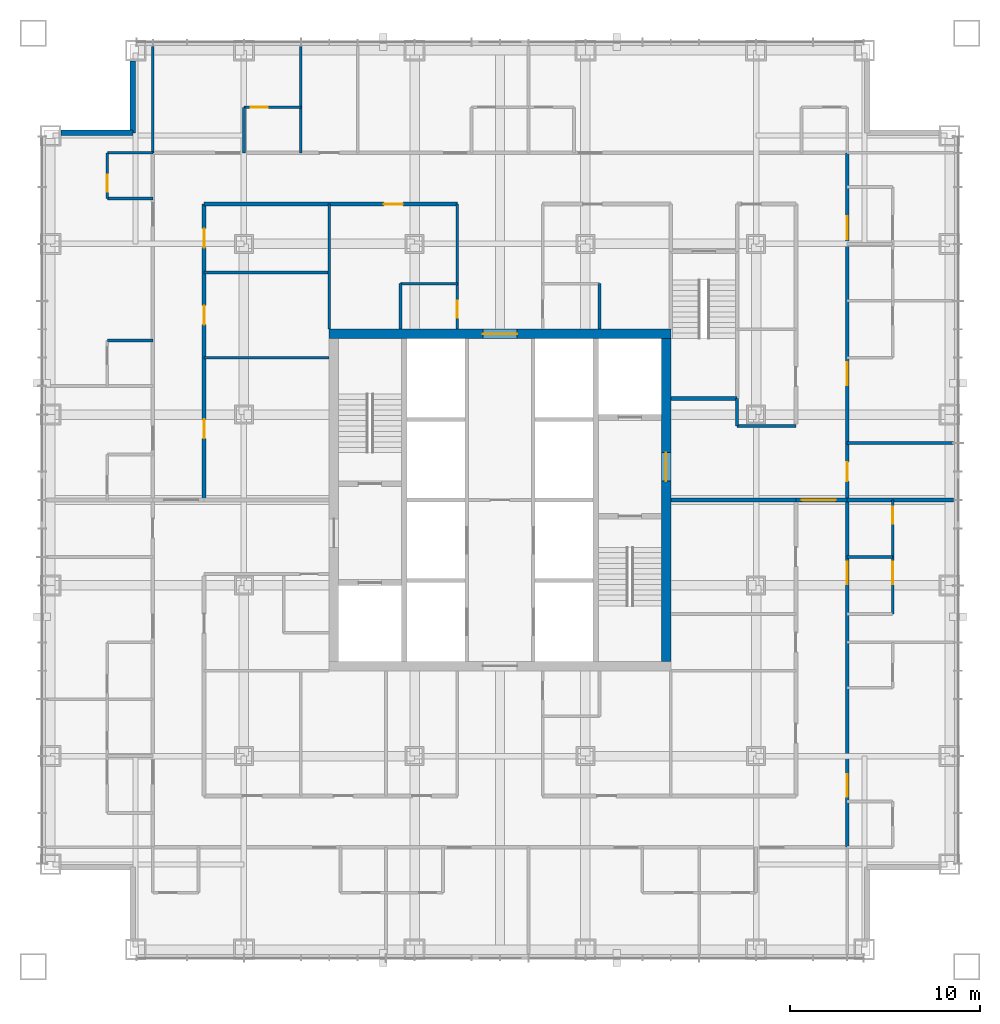
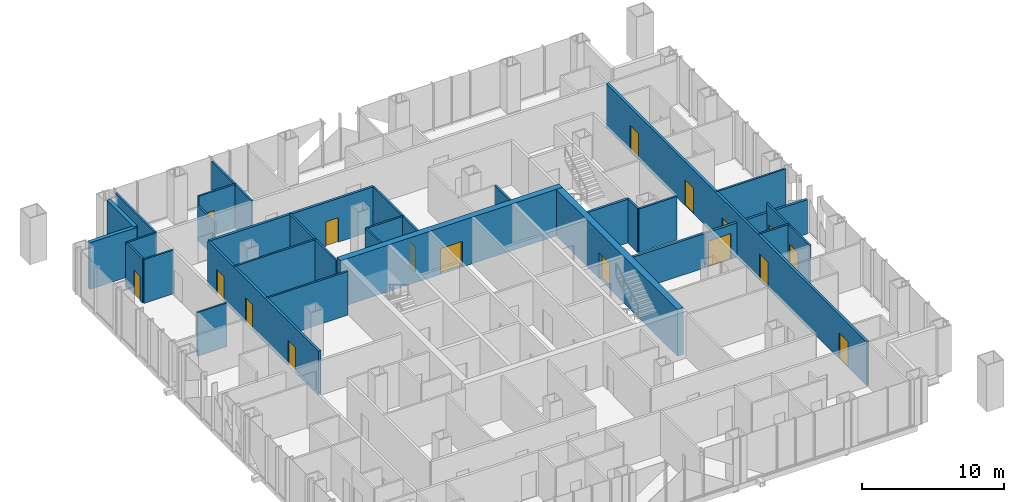
# One storey, part 11 of 16: 32 walls, 17 doors, 17 openings.
"""IFC4 building model written with IfcOpenShell, lengths in metres."""

from ifc_helpers import new_model, si_unit, direction, frame, frame_2d, origin, place, context, subcontext, project, spatial, rectangle, extrude, material, layer, layer_set, type_object, element, fill, save


model = new_model("IFC4")

# Units and contexts
model_context = context("Model", 3, precision=1e-05, world=origin(), true_north=direction((0.0, 1.0)))
body_context = subcontext(model_context, "Body", "Model", "MODEL_VIEW")
ifc_project = project(units=[si_unit("LENGTHUNIT", "METRE"), si_unit("AREAUNIT", "SQUARE_METRE"), si_unit("VOLUMEUNIT", "CUBIC_METRE"), si_unit("PLANEANGLEUNIT", "RADIAN"), si_unit("MASSUNIT", "GRAM", prefix="KILO")], contexts=[model_context])

# Site, building, storey
site_placement = place(None, origin())
site = spatial("IfcSite", under=ifc_project, at=site_placement, CompositionType="ELEMENT")
building_placement = place(site_placement, origin())
building = spatial("IfcBuilding", under=site, at=building_placement, Name="Malebo Sky Hospital", CompositionType="ELEMENT")
storey_placement = place(building_placement, frame((0.0, 0.0, 152.0)))
storey = spatial("IfcBuildingStorey", under=building, at=storey_placement, Name="L36", CompositionType="ELEMENT", Elevation=152.0)

# Wall, opening, door
ifc_material_1 = material(Name="Concrete C80/95", Category="concrete")
ifc_layer_1 = layer(ifc_material_1, 0.5)
ifc_layer_set_1 = layer_set([ifc_layer_1], Name="CORE WALL 500")
wall_type_1 = type_object("IfcWallType", Name="CORE WALL 500", PredefinedType="SHEAR", material=ifc_layer_set_1)
wall_1_placement = place(storey_placement, frame((51.0, 70.75, 0.0), z_axis=(0.0, 0.0, 1.0), x_axis=(1.0, 0.0, 0.0)))
wall_1 = element("IfcWall", 1, at=wall_1_placement, inside=storey, type_object=wall_type_1, Name="Core wall N L36", PredefinedType="SHEAR", context=body_context, shape_type="SweptSolid", body=[
    extrude(rectangle(XDim=18.0, YDim=0.5, at=frame_2d((9.0, 0.0))), origin(), (0.0, 0.0, 1.0), 4.0),
])
opening_1_placement = place(wall_1_placement, frame((8.10009765625, 0.0, 0.0)))
opening_1 = element("IfcOpeningElement", 2, at=opening_1_placement, cuts=wall_1, Name="Opening D06", PredefinedType="OPENING", context=body_context, shape_type="SweptSolid", body=[
    extrude(rectangle(XDim=1.800048828125, YDim=2.199951171875, at=frame_2d((0.89990234375, 1.10009765625))), frame((0.0, 0.260009765625, 0.0), z_axis=(0.0, -1.0, 0.0), x_axis=(1.0, 0.0, 0.0)), (0.0, 0.0, 1.0), 0.52001953125),
])
ifc_material_2 = material(Name="Hardwood-faced door leaf in steel frame", Category="steel")
door_type_1 = type_object("IfcDoorType", Name="LOBBY DOOR PAIR 1800", OperationType="DOUBLE_DOOR_SINGLE_SWING", PredefinedType="DOOR", material=ifc_material_2)
door_1_placement = place(opening_1_placement, origin())
door_1 = element("IfcDoor", 3, at=door_1_placement, inside=storey, type_object=door_type_1, Name="linen store door north", OperationType="DOUBLE_DOOR_SINGLE_SWING", OverallHeight=2.199951171875, OverallWidth=1.800048828125, PredefinedType="DOOR", context=body_context, shape_type="SweptSolid", body=[
    extrude(rectangle(XDim=1.800048828125, YDim=2.199951171875, at=frame_2d((0.89990234375, 1.10009765625))), frame((0.0, 0.02490234375, 0.0), z_axis=(0.0, -1.0, 0.0), x_axis=(1.0, 0.0, 0.0)), (0.0, 0.0, 1.0), 0.050048828125),
])
fill(opening_1, door_1)

wall_2_placement = place(storey_placement, frame((68.75, 53.5, 0.0), z_axis=(0.0, 0.0, 1.0), x_axis=(0.0, 1.0, 0.0)))
wall_2 = element("IfcWall", 4, at=wall_2_placement, inside=storey, type_object=wall_type_1, Name="Core wall E L36", PredefinedType="SHEAR", context=body_context, shape_type="SweptSolid", body=[
    extrude(rectangle(XDim=17.0, YDim=0.5, at=frame_2d((8.5, 0.0))), origin(), (0.0, 0.0, 1.0), 4.0),
])
opening_2_placement = place(wall_2_placement, frame((9.5, 0.0, 0.0)))
opening_2 = element("IfcOpeningElement", 5, at=opening_2_placement, cuts=wall_2, Name="Opening D07", PredefinedType="OPENING", context=body_context, shape_type="SweptSolid", body=[
    extrude(rectangle(XDim=1.5, YDim=2.199951171875, at=frame_2d((0.75, 1.10009765625))), frame((0.0, 0.260009765625, 0.0), z_axis=(0.0, -1.0, 0.0), x_axis=(1.0, 0.0, 0.0)), (0.0, 0.0, 1.0), 0.52001953125),
])
door_type_2 = type_object("IfcDoorType", Name="FIRE-FIGHTING LOBBY DOOR PAIR 1500", OperationType="DOUBLE_DOOR_SINGLE_SWING", PredefinedType="DOOR", material=ifc_material_2)
door_2_placement = place(opening_2_placement, origin())
door_2 = element("IfcDoor", 6, at=door_2_placement, inside=storey, type_object=door_type_2, Name="Fire-fighting lobby door east", OperationType="DOUBLE_DOOR_SINGLE_SWING", OverallHeight=2.199951171875, OverallWidth=1.5, PredefinedType="DOOR", context=body_context, shape_type="SweptSolid", body=[
    extrude(rectangle(XDim=1.5, YDim=2.199951171875, at=frame_2d((0.75, 1.10009765625))), frame((0.0, 0.02490234375, 0.0), z_axis=(0.0, -1.0, 0.0), x_axis=(1.0, 0.0, 0.0)), (0.0, 0.0, 1.0), 0.050048828125),
])
fill(opening_2, door_2)

ifc_material_3 = material(Name="Gypsum board on steel studs", Category="steel")
ifc_layer_2 = layer(ifc_material_3, 0.199951171875)
ifc_layer_set_2 = layer_set([ifc_layer_2], Name="CORRIDOR WALL 200")
wall_type_2 = type_object("IfcWallType", Name="CORRIDOR WALL 200", PredefinedType="PARTITIONING", material=ifc_layer_set_2)
wall_3_placement = place(storey_placement, frame((44.39990234375, 77.60009765625, 0.0), z_axis=(0.0, 0.0, 1.0), x_axis=(1.0, 0.0, 0.0)))
wall_3 = element("IfcWall", 7, at=wall_3_placement, inside=storey, type_object=wall_type_2, Name="Corridor Wall 200 NCI1", PredefinedType="PARTITIONING", context=body_context, shape_type="SweptSolid", body=[
    extrude(rectangle(XDim=13.35009765625, YDim=0.199951171875, at=frame_2d((6.675048828125, 0.0))), origin(), (0.0, 0.0, 1.0), 3.75),
])
opening_3_placement = place(wall_3_placement, frame((9.47509765625, 0.0, 0.0)))
opening_3 = element("IfcOpeningElement", 8, at=opening_3_placement, cuts=wall_3, Name="Opening D03", PredefinedType="OPENING", context=body_context, shape_type="SweptSolid", body=[
    extrude(rectangle(XDim=1.0, YDim=2.10009765625, at=frame_2d((0.5, 1.050048828125))), frame((0.0, 0.10986328125, 0.0), z_axis=(0.0, -1.0, 0.0), x_axis=(1.0, 0.0, 0.0)), (0.0, 0.0, 1.0), 0.219970703125),
])
door_type_3 = type_object("IfcDoorType", Name="ROOM DOOR 1000", OperationType="SINGLE_SWING_LEFT", PredefinedType="DOOR", material=ifc_material_2)
door_3_placement = place(opening_3_placement, origin())
door_3 = element("IfcDoor", 9, at=door_3_placement, inside=storey, type_object=door_type_3, Name="Interview room door", OperationType="SINGLE_SWING_LEFT", OverallHeight=2.10009765625, OverallWidth=1.0, PredefinedType="DOOR", context=body_context, shape_type="SweptSolid", body=[
    extrude(rectangle(XDim=1.0, YDim=2.10009765625, at=frame_2d((0.5, 1.050048828125))), frame((0.0, 0.02490234375, 0.0), z_axis=(0.0, -1.0, 0.0), x_axis=(1.0, 0.0, 0.0)), (0.0, 0.0, 1.0), 0.050048828125),
])
fill(opening_3, door_3)

# Wall, openings, doors
wall_4_placement = place(storey_placement, frame((44.39990234375, 62.0, 0.0), z_axis=(0.0, 0.0, 1.0), x_axis=(0.0, 1.0, 0.0)))
wall_4 = element("IfcWall", 10, at=wall_4_placement, inside=storey, type_object=wall_type_2, Name="Corridor Wall 200 WCI2", PredefinedType="PARTITIONING", context=body_context, shape_type="SweptSolid", body=[
    extrude(rectangle(XDim=15.60009765625, YDim=0.199951171875, at=frame_2d((7.800048828125, 0.0))), origin(), (0.0, 0.0, 1.0), 3.75),
])
opening_4_placement = place(wall_4_placement, frame((3.25, 0.0, 0.0)))
opening_4 = element("IfcOpeningElement", 11, at=opening_4_placement, cuts=wall_4, Name="Opening D03", PredefinedType="OPENING", context=body_context, shape_type="SweptSolid", body=[
    extrude(rectangle(XDim=1.0, YDim=2.10009765625, at=frame_2d((0.5, 1.050048828125))), frame((0.0, 0.10986328125, 0.0), z_axis=(0.0, -1.0, 0.0), x_axis=(1.0, 0.0, 0.0)), (0.0, 0.0, 1.0), 0.219970703125),
])
opening_5_placement = place(wall_4_placement, frame((9.25, 0.0, 0.0)))
opening_5 = element("IfcOpeningElement", 12, at=opening_5_placement, cuts=wall_4, Name="Opening D03", PredefinedType="OPENING", context=body_context, shape_type="SweptSolid", body=[
    extrude(rectangle(XDim=1.0, YDim=2.10009765625, at=frame_2d((0.5, 1.050048828125))), frame((0.0, 0.10986328125, 0.0), z_axis=(0.0, -1.0, 0.0), x_axis=(1.0, 0.0, 0.0)), (0.0, 0.0, 1.0), 0.219970703125),
])
opening_6_placement = place(wall_4_placement, frame((13.300048828125, 0.0, 0.0)))
opening_6 = element("IfcOpeningElement", 13, at=opening_6_placement, cuts=wall_4, Name="Opening D03", PredefinedType="OPENING", context=body_context, shape_type="SweptSolid", body=[
    extrude(rectangle(XDim=1.0, YDim=2.10009765625, at=frame_2d((0.5, 1.050048828125))), frame((0.0, 0.10986328125, 0.0), z_axis=(0.0, -1.0, 0.0), x_axis=(1.0, 0.0, 0.0)), (0.0, 0.0, 1.0), 0.219970703125),
])
door_4_placement = place(opening_4_placement, origin())
door_4 = element("IfcDoor", 14, at=door_4_placement, inside=storey, type_object=door_type_3, Name="Staff rest room door", OperationType="SINGLE_SWING_LEFT", OverallHeight=2.10009765625, OverallWidth=1.0, PredefinedType="DOOR", context=body_context, shape_type="SweptSolid", body=[
    extrude(rectangle(XDim=1.0, YDim=2.10009765625, at=frame_2d((0.5, 1.050048828125))), frame((0.0, 0.02490234375, 0.0), z_axis=(0.0, -1.0, 0.0), x_axis=(1.0, 0.0, 0.0)), (0.0, 0.0, 1.0), 0.050048828125),
])
fill(opening_4, door_4)
door_5_placement = place(opening_5_placement, origin())
door_5 = element("IfcDoor", 15, at=door_5_placement, inside=storey, type_object=door_type_3, Name="Counselling room door", OperationType="SINGLE_SWING_LEFT", OverallHeight=2.10009765625, OverallWidth=1.0, PredefinedType="DOOR", context=body_context, shape_type="SweptSolid", body=[
    extrude(rectangle(XDim=1.0, YDim=2.10009765625, at=frame_2d((0.5, 1.050048828125))), frame((0.0, 0.02490234375, 0.0), z_axis=(0.0, -1.0, 0.0), x_axis=(1.0, 0.0, 0.0)), (0.0, 0.0, 1.0), 0.050048828125),
])
fill(opening_5, door_5)
door_6_placement = place(opening_6_placement, origin())
door_6 = element("IfcDoor", 16, at=door_6_placement, inside=storey, type_object=door_type_3, Name="Medication room door", OperationType="SINGLE_SWING_RIGHT", OverallHeight=2.10009765625, OverallWidth=1.0, PredefinedType="DOOR", context=body_context, shape_type="SweptSolid", body=[
    extrude(rectangle(XDim=1.0, YDim=2.10009765625, at=frame_2d((0.5, 1.050048828125))), frame((0.0, 0.02490234375, 0.0), z_axis=(0.0, -1.0, 0.0), x_axis=(1.0, 0.0, 0.0)), (0.0, 0.0, 1.0), 0.050048828125),
])
fill(opening_6, door_6)

wall_5_placement = place(storey_placement, frame((78.300048828125, 80.300048828125, 0.0), z_axis=(0.0, 0.0, 1.0), x_axis=(0.0, -1.0, 0.0)))
wall_5 = element("IfcWall", 17, at=wall_5_placement, inside=storey, type_object=wall_type_2, Name="Corridor Wall 200 ECO", PredefinedType="PARTITIONING", context=body_context, shape_type="SweptSolid", body=[
    extrude(rectangle(XDim=36.60009765625, YDim=0.199951171875, at=frame_2d((18.300048828125, 0.0))), origin(), (0.0, 0.0, 1.0), 3.75),
])
opening_7_placement = place(wall_5_placement, frame((3.35009765625, 0.0, 0.0)))
opening_7 = element("IfcOpeningElement", 18, at=opening_7_placement, cuts=wall_5, Name="Opening D18", PredefinedType="OPENING", context=body_context, shape_type="SweptSolid", body=[
    extrude(rectangle(XDim=1.199951171875, YDim=2.199951171875, at=frame_2d((0.60009765625, 1.10009765625))), frame((0.0, 0.10986328125, 0.0), z_axis=(0.0, -1.0, 0.0), x_axis=(1.0, 0.0, 0.0)), (0.0, 0.0, 1.0), 0.219970703125),
])
opening_8_placement = place(wall_5_placement, frame((11.050048828125, 0.0, 0.0)))
opening_8 = element("IfcOpeningElement", 19, at=opening_8_placement, cuts=wall_5, Name="Opening D01", PredefinedType="OPENING", context=body_context, shape_type="SweptSolid", body=[
    extrude(rectangle(XDim=1.199951171875, YDim=2.199951171875, at=frame_2d((0.60009765625, 1.10009765625))), frame((0.0, 0.10986328125, 0.0), z_axis=(0.0, -1.0, 0.0), x_axis=(1.0, 0.0, 0.0)), (0.0, 0.0, 1.0), 0.219970703125),
])
opening_9_placement = place(wall_5_placement, frame((16.300048828125, 0.0, 0.0)))
opening_9 = element("IfcOpeningElement", 20, at=opening_9_placement, cuts=wall_5, Name="Opening D03", PredefinedType="OPENING", context=body_context, shape_type="SweptSolid", body=[
    extrude(rectangle(XDim=1.0, YDim=2.10009765625, at=frame_2d((0.5, 1.050048828125))), frame((0.0, 0.10986328125, 0.0), z_axis=(0.0, -1.0, 0.0), x_axis=(1.0, 0.0, 0.0)), (0.0, 0.0, 1.0), 0.219970703125),
])
opening_10_placement = place(wall_5_placement, frame((21.550048828125, 0.0, 0.0)))
opening_10 = element("IfcOpeningElement", 21, at=opening_10_placement, cuts=wall_5, Name="Opening D18", PredefinedType="OPENING", context=body_context, shape_type="SweptSolid", body=[
    extrude(rectangle(XDim=1.199951171875, YDim=2.199951171875, at=frame_2d((0.60009765625, 1.10009765625))), frame((0.0, 0.10986328125, 0.0), z_axis=(0.0, -1.0, 0.0), x_axis=(1.0, 0.0, 0.0)), (0.0, 0.0, 1.0), 0.219970703125),
])
opening_11_placement = place(wall_5_placement, frame((32.75, 0.0, 0.0)))
opening_11 = element("IfcOpeningElement", 22, at=opening_11_placement, cuts=wall_5, Name="Opening D01", PredefinedType="OPENING", context=body_context, shape_type="SweptSolid", body=[
    extrude(rectangle(XDim=1.199951171875, YDim=2.199951171875, at=frame_2d((0.60009765625, 1.10009765625))), frame((0.0, 0.10986328125, 0.0), z_axis=(0.0, -1.0, 0.0), x_axis=(1.0, 0.0, 0.0)), (0.0, 0.0, 1.0), 0.219970703125),
])
door_type_4 = type_object("IfcDoorType", Name="ANTEROOM DOOR 1200", OperationType="SINGLE_SWING_LEFT", PredefinedType="DOOR", material=ifc_material_2)
door_7_placement = place(opening_7_placement, origin())
door_7 = element("IfcDoor", 23, at=door_7_placement, inside=storey, type_object=door_type_4, Name="Anteroom door", OperationType="SINGLE_SWING_RIGHT", OverallHeight=2.199951171875, OverallWidth=1.199951171875, PredefinedType="DOOR", context=body_context, shape_type="SweptSolid", body=[
    extrude(rectangle(XDim=1.199951171875, YDim=2.199951171875, at=frame_2d((0.60009765625, 1.10009765625))), frame((0.0, 0.02490234375, 0.0), z_axis=(0.0, -1.0, 0.0), x_axis=(1.0, 0.0, 0.0)), (0.0, 0.0, 1.0), 0.050048828125),
])
fill(opening_7, door_7)
door_8_placement = place(opening_10_placement, origin())
door_8 = element("IfcDoor", 24, at=door_8_placement, inside=storey, type_object=door_type_4, Name="Anteroom door", OperationType="SINGLE_SWING_LEFT", OverallHeight=2.199951171875, OverallWidth=1.199951171875, PredefinedType="DOOR", context=body_context, shape_type="SweptSolid", body=[
    extrude(rectangle(XDim=1.199951171875, YDim=2.199951171875, at=frame_2d((0.60009765625, 1.10009765625))), frame((0.0, 0.02490234375, 0.0), z_axis=(0.0, -1.0, 0.0), x_axis=(1.0, 0.0, 0.0)), (0.0, 0.0, 1.0), 0.050048828125),
])
fill(opening_10, door_8)
door_type_5 = type_object("IfcDoorType", Name="BED DOOR 1200", OperationType="SINGLE_SWING_LEFT", PredefinedType="DOOR", material=ifc_material_2)
door_9_placement = place(opening_8_placement, origin())
door_9 = element("IfcDoor", 25, at=door_9_placement, inside=storey, type_object=door_type_5, Name="Single bed room door", OperationType="SINGLE_SWING_LEFT", OverallHeight=2.199951171875, OverallWidth=1.199951171875, PredefinedType="DOOR", context=body_context, shape_type="SweptSolid", body=[
    extrude(rectangle(XDim=1.199951171875, YDim=2.199951171875, at=frame_2d((0.60009765625, 1.10009765625))), frame((0.0, 0.02490234375, 0.0), z_axis=(0.0, -1.0, 0.0), x_axis=(1.0, 0.0, 0.0)), (0.0, 0.0, 1.0), 0.050048828125),
])
fill(opening_8, door_9)
door_10_placement = place(opening_11_placement, origin())
door_10 = element("IfcDoor", 26, at=door_10_placement, inside=storey, type_object=door_type_5, Name="Four-bed bay door", OperationType="SINGLE_SWING_RIGHT", OverallHeight=2.199951171875, OverallWidth=1.199951171875, PredefinedType="DOOR", context=body_context, shape_type="SweptSolid", body=[
    extrude(rectangle(XDim=1.199951171875, YDim=2.199951171875, at=frame_2d((0.60009765625, 1.10009765625))), frame((0.0, 0.02490234375, 0.0), z_axis=(0.0, -1.0, 0.0), x_axis=(1.0, 0.0, 0.0)), (0.0, 0.0, 1.0), 0.050048828125),
])
fill(opening_11, door_10)
door_11_placement = place(opening_9_placement, origin())
door_11 = element("IfcDoor", 27, at=door_11_placement, inside=storey, type_object=door_type_3, Name="Interview room door", OperationType="SINGLE_SWING_RIGHT", OverallHeight=2.10009765625, OverallWidth=1.0, PredefinedType="DOOR", context=body_context, shape_type="SweptSolid", body=[
    extrude(rectangle(XDim=1.0, YDim=2.10009765625, at=frame_2d((0.5, 1.050048828125))), frame((0.0, 0.02490234375, 0.0), z_axis=(0.0, -1.0, 0.0), x_axis=(1.0, 0.0, 0.0)), (0.0, 0.0, 1.0), 0.050048828125),
])
fill(opening_9, door_11)

# Walls
ifc_material_4 = material(Name="Anodised aluminium rainscreen on steel framing", Category="steel")
ifc_layer_3 = layer(ifc_material_4, 0.300048828125)
ifc_layer_set_3 = layer_set([ifc_layer_3], Name="NOTCH RAINSCREEN WALL 300")
wall_type_3 = type_object("IfcWallType", Name="NOTCH RAINSCREEN WALL 300", PredefinedType="ELEMENTEDWALL", material=ifc_layer_set_3)
for number, where, z_axis, x_axis, name in (
    (28, (36.85009765625, 81.35009765625, 0.0), (0.0, 0.0, 1.0), (1.0, 0.0, 0.0), "Notch rainscreen wall W1 L36"),
    (29, (40.64990234375, 81.35009765625, 0.0), (0.0, 0.0, 1.0), (0.0, 1.0, 0.0), "Notch rainscreen wall W2 L36"),
):
    element("IfcWall", number, at=place(storey_placement, frame(where, z_axis=z_axis, x_axis=x_axis)), inside=storey, type_object=wall_type_3, Name=name, PredefinedType="ELEMENTEDWALL", context=body_context, shape_type="SweptSolid", body=[
        extrude(rectangle(XDim=3.7998046875, YDim=0.300048828125, at=frame_2d((1.89990234375, 0.0))), origin(), (0.0, 0.0, 1.0), 4.0),
    ])
ifc_layer_4 = layer(ifc_material_3, 0.14990234375)
ifc_layer_set_4 = layer_set([ifc_layer_4], Name="PARTITION 150")
wall_type_4 = type_object("IfcWallType", Name="PARTITION 150", PredefinedType="PARTITIONING", material=ifc_layer_set_4)
for number, where, z_axis, x_axis, name in (
    (30, (49.5, 80.300048828125, 0.0), (0.0, 0.0, 1.0), (0.0, 1.0, 0.0), "Partition 150 NP-10.5"),
    (31, (41.699951171875, 80.300048828125, 0.0), (0.0, 0.0, 1.0), (0.0, 1.0, 0.0), "Partition 150 NP0"),
):
    element("IfcWall", number, at=place(storey_placement, frame(where, z_axis=z_axis, x_axis=x_axis)), inside=storey, type_object=wall_type_4, Name=name, PredefinedType="PARTITIONING", context=body_context, shape_type="SweptSolid", body=[
        extrude(rectangle(XDim=5.60986328125, YDim=0.14990234375, at=frame_2d((2.804931640625, 0.0))), origin(), (0.0, 0.0, 1.0), 3.75),
    ])

# Wall, opening, door
wall_6_placement = place(storey_placement, frame((46.5, 82.699951171875, 0.0), z_axis=(0.0, 0.0, 1.0), x_axis=(1.0, 0.0, 0.0)))
wall_6 = element("IfcWall", 32, at=wall_6_placement, inside=storey, type_object=wall_type_4, Name="Partition 150 NE0F", PredefinedType="PARTITIONING", context=body_context, shape_type="SweptSolid", body=[
    extrude(rectangle(XDim=3.0, YDim=0.14990234375, at=frame_2d((1.5, 0.0))), origin(), (0.0, 0.0, 1.0), 3.75),
])
opening_12_placement = place(wall_6_placement, frame((0.35009765625, 0.0, 0.0)))
opening_12 = element("IfcOpeningElement", 33, at=opening_12_placement, cuts=wall_6, Name="Opening D02", PredefinedType="OPENING", context=body_context, shape_type="SweptSolid", body=[
    extrude(rectangle(XDim=0.89990234375, YDim=2.10009765625, at=frame_2d((0.449951171875, 1.050048828125))), frame((0.0, 0.0849609375, 0.0), z_axis=(0.0, -1.0, 0.0), x_axis=(1.0, 0.0, 0.0)), (0.0, 0.0, 1.0), 0.169921875),
])
door_type_6 = type_object("IfcDoorType", Name="EN-SUITE DOOR 900", OperationType="SINGLE_SWING_LEFT", PredefinedType="DOOR", material=ifc_material_2)
door_12_placement = place(opening_12_placement, origin())
door_12 = element("IfcDoor", 34, at=door_12_placement, inside=storey, type_object=door_type_6, Name="En-suite door", OperationType="SINGLE_SWING_LEFT", OverallHeight=2.10009765625, OverallWidth=0.89990234375, PredefinedType="DOOR", context=body_context, shape_type="SweptSolid", body=[
    extrude(rectangle(XDim=0.89990234375, YDim=2.10009765625, at=frame_2d((0.449951171875, 1.050048828125))), frame((0.0, 0.02490234375, 0.0), z_axis=(0.0, -1.0, 0.0), x_axis=(1.0, 0.0, 0.0)), (0.0, 0.0, 1.0), 0.050048828125),
])
fill(opening_12, door_12)

# Walls
wall_7_placement = place(storey_placement, frame((46.5, 80.300048828125, 0.0), z_axis=(0.0, 0.0, 1.0), x_axis=(0.0, 1.0, 0.0)))
element("IfcWall", 35, at=wall_7_placement, inside=storey, type_object=wall_type_4, Name="Partition 150 NE0S", PredefinedType="PARTITIONING", context=body_context, shape_type="SweptSolid", body=[
    extrude(rectangle(XDim=2.39990234375, YDim=0.14990234375, at=frame_2d((1.199951171875, 0.0))), origin(), (0.0, 0.0, 1.0), 2.949951171875),
])
wall_8_placement = place(storey_placement, frame((51.0, 71.0, 0.0), z_axis=(0.0, 0.0, 1.0), x_axis=(0.0, 1.0, 0.0)))
element("IfcWall", 36, at=wall_8_placement, inside=storey, type_object=wall_type_4, Name="Partition 150 NSP0", PredefinedType="PARTITIONING", context=body_context, shape_type="SweptSolid", body=[
    extrude(rectangle(XDim=6.60009765625, YDim=0.14990234375, at=frame_2d((3.300048828125, 0.0))), origin(), (0.0, 0.0, 1.0), 3.75),
])

# Wall, opening, door
wall_9_placement = place(storey_placement, frame((57.75, 71.0, 0.0), z_axis=(0.0, 0.0, 1.0), x_axis=(0.0, 1.0, 0.0)))
wall_9 = element("IfcWall", 37, at=wall_9_placement, inside=storey, type_object=wall_type_4, Name="Partition 150 NSPA", PredefinedType="PARTITIONING", context=body_context, shape_type="SweptSolid", body=[
    extrude(rectangle(XDim=6.60009765625, YDim=0.14990234375, at=frame_2d((3.300048828125, 0.0))), origin(), (0.0, 0.0, 1.0), 3.75),
])
opening_13_placement = place(wall_9_placement, frame((0.60009765625, 0.0, 0.0)))
opening_13 = element("IfcOpeningElement", 38, at=opening_13_placement, cuts=wall_9, Name="Opening D04", PredefinedType="OPENING", context=body_context, shape_type="SweptSolid", body=[
    extrude(rectangle(XDim=0.89990234375, YDim=2.10009765625, at=frame_2d((0.449951171875, 1.050048828125))), frame((0.0, 0.0849609375, 0.0), z_axis=(0.0, -1.0, 0.0), x_axis=(1.0, 0.0, 0.0)), (0.0, 0.0, 1.0), 0.169921875),
])
door_type_7 = type_object("IfcDoorType", Name="ROOM DOOR 900", OperationType="SINGLE_SWING_LEFT", PredefinedType="DOOR", material=ifc_material_2)
door_13_placement = place(opening_13_placement, origin())
door_13 = element("IfcDoor", 39, at=door_13_placement, inside=storey, type_object=door_type_7, Name="Staff WC door", OperationType="SINGLE_SWING_LEFT", OverallHeight=2.10009765625, OverallWidth=0.89990234375, PredefinedType="DOOR", context=body_context, shape_type="SweptSolid", body=[
    extrude(rectangle(XDim=0.89990234375, YDim=2.10009765625, at=frame_2d((0.449951171875, 1.050048828125))), frame((0.0, 0.02490234375, 0.0), z_axis=(0.0, -1.0, 0.0), x_axis=(1.0, 0.0, 0.0)), (0.0, 0.0, 1.0), 0.050048828125),
])
fill(opening_13, door_13)

# Walls
wall_10_placement = place(storey_placement, frame((54.75, 73.39990234375, 0.0), z_axis=(0.0, 0.0, 1.0), x_axis=(1.0, 0.0, 0.0)))
element("IfcWall", 40, at=wall_10_placement, inside=storey, type_object=wall_type_4, Name="Partition 150 NSX0", PredefinedType="PARTITIONING", context=body_context, shape_type="SweptSolid", body=[
    extrude(rectangle(XDim=3.0, YDim=0.14990234375, at=frame_2d((1.5, 0.0))), origin(), (0.0, 0.0, 1.0), 3.75),
])
for number, where, z_axis, x_axis, name in (
    (41, (54.75, 71.0, 0.0), (0.0, 0.0, 1.0), (0.0, 1.0, 0.0), "Partition 150 NSY0"),
    (42, (65.25, 71.0, 0.0), (0.0, 0.0, 1.0), (0.0, 1.0, 0.0), "Partition 150 NSY1"),
):
    element("IfcWall", number, at=place(storey_placement, frame(where, z_axis=z_axis, x_axis=x_axis)), inside=storey, type_object=wall_type_4, Name=name, PredefinedType="PARTITIONING", context=body_context, shape_type="SweptSolid", body=[
        extrude(rectangle(XDim=2.39990234375, YDim=0.14990234375, at=frame_2d((1.199951171875, 0.0))), origin(), (0.0, 0.0, 1.0), 3.75),
    ])

# Wall, opening, door
wall_11_placement = place(storey_placement, frame((39.300048828125, 77.89990234375, 0.0), z_axis=(0.0, 0.0, 1.0), x_axis=(0.0, 1.0, 0.0)))
wall_11 = element("IfcWall", 43, at=wall_11_placement, inside=storey, type_object=wall_type_4, Name="Partition 150 WE4F", PredefinedType="PARTITIONING", context=body_context, shape_type="SweptSolid", body=[
    extrude(rectangle(XDim=2.400146484375, YDim=0.14990234375, at=frame_2d((1.2001953125, 0.0))), origin(), (0.0, 0.0, 1.0), 3.75),
])
opening_14_placement = place(wall_11_placement, frame((0.35009765625, 0.0, 0.0)))
opening_14 = element("IfcOpeningElement", 44, at=opening_14_placement, cuts=wall_11, Name="Opening D02", PredefinedType="OPENING", context=body_context, shape_type="SweptSolid", body=[
    extrude(rectangle(XDim=0.89990234375, YDim=2.10009765625, at=frame_2d((0.449951171875, 1.050048828125))), frame((0.0, 0.0849609375, 0.0), z_axis=(0.0, -1.0, 0.0), x_axis=(1.0, 0.0, 0.0)), (0.0, 0.0, 1.0), 0.169921875),
])
door_14_placement = place(opening_14_placement, origin())
door_14 = element("IfcDoor", 45, at=door_14_placement, inside=storey, type_object=door_type_6, Name="En-suite door", OperationType="SINGLE_SWING_LEFT", OverallHeight=2.10009765625, OverallWidth=0.89990234375, PredefinedType="DOOR", context=body_context, shape_type="SweptSolid", body=[
    extrude(rectangle(XDim=0.89990234375, YDim=2.10009765625, at=frame_2d((0.449951171875, 1.050048828125))), frame((0.0, 0.02490234375, 0.0), z_axis=(0.0, -1.0, 0.0), x_axis=(1.0, 0.0, 0.0)), (0.0, 0.0, 1.0), 0.050048828125),
])
fill(opening_14, door_14)

# Walls
for number, where, z_axis, x_axis, name in (
    (46, (41.699951171875, 77.89990234375, 0.0), (0.0, 0.0, 1.0), (-1.0, 0.0, 0.0), "Partition 150 WE4S"),
    (47, (41.699951171875, 70.39990234375, 0.0), (0.0, 0.0, 1.0), (-1.0, 0.0, 0.0), "Partition 150 WG4S"),
    (48, (41.699951171875, 80.300048828125, 0.0), (0.0, 0.0, 1.0), (-1.0, 0.0, 0.0), "Partition 150 WEZ"),
):
    element("IfcWall", number, at=place(storey_placement, frame(where, z_axis=z_axis, x_axis=x_axis)), inside=storey, type_object=wall_type_4, Name=name, PredefinedType="PARTITIONING", context=body_context, shape_type="SweptSolid", body=[
        extrude(rectangle(XDim=2.39990234375, YDim=0.14990234375, at=frame_2d((1.199951171875, 0.0))), origin(), (0.0, 0.0, 1.0), 3.75),
    ])
for number, where, z_axis, x_axis, name in (
    (49, (51.0, 69.5, 0.0), (0.0, 0.0, 1.0), (-1.0, 0.0, 0.0), "Partition 150 WSP+7.5"),
    (50, (51.0, 74.0, 0.0), (0.0, 0.0, 1.0), (-1.0, 0.0, 0.0), "Partition 150 WSP+12.0"),
):
    element("IfcWall", number, at=place(storey_placement, frame(where, z_axis=z_axis, x_axis=x_axis)), inside=storey, type_object=wall_type_4, Name=name, PredefinedType="PARTITIONING", context=body_context, shape_type="SweptSolid", body=[
        extrude(rectangle(XDim=6.60009765625, YDim=0.14990234375, at=frame_2d((3.300048828125, 0.0))), origin(), (0.0, 0.0, 1.0), 3.75),
    ])
wall_12_placement = place(storey_placement, frame((78.300048828125, 65.0, 0.0), z_axis=(0.0, 0.0, 1.0), x_axis=(1.0, 0.0, 0.0)))
element("IfcWall", 51, at=wall_12_placement, inside=storey, type_object=wall_type_4, Name="Partition 150 EP-3.0", PredefinedType="PARTITIONING", context=body_context, shape_type="SweptSolid", body=[
    extrude(rectangle(XDim=5.60986328125, YDim=0.14990234375, at=frame_2d((2.804931640625, 0.0))), origin(), (0.0, 0.0, 1.0), 3.75),
])

# Wall, opening, door
wall_13_placement = place(storey_placement, frame((80.699951171875, 62.0, 0.0), z_axis=(0.0, 0.0, 1.0), x_axis=(0.0, -1.0, 0.0)))
wall_13 = element("IfcWall", 52, at=wall_13_placement, inside=storey, type_object=wall_type_4, Name="Partition 150 EE3F", PredefinedType="PARTITIONING", context=body_context, shape_type="SweptSolid", body=[
    extrude(rectangle(XDim=3.0, YDim=0.14990234375, at=frame_2d((1.5, 0.0))), origin(), (0.0, 0.0, 1.0), 3.75),
])
opening_15_placement = place(wall_13_placement, frame((0.35009765625, 0.0, 0.0)))
opening_15 = element("IfcOpeningElement", 53, at=opening_15_placement, cuts=wall_13, Name="Opening D02", PredefinedType="OPENING", context=body_context, shape_type="SweptSolid", body=[
    extrude(rectangle(XDim=0.89990234375, YDim=2.10009765625, at=frame_2d((0.449951171875, 1.050048828125))), frame((0.0, 0.0849609375, 0.0), z_axis=(0.0, -1.0, 0.0), x_axis=(1.0, 0.0, 0.0)), (0.0, 0.0, 1.0), 0.169921875),
])
door_15_placement = place(opening_15_placement, origin())
door_15 = element("IfcDoor", 54, at=door_15_placement, inside=storey, type_object=door_type_6, Name="En-suite door", OperationType="SINGLE_SWING_LEFT", OverallHeight=2.10009765625, OverallWidth=0.89990234375, PredefinedType="DOOR", context=body_context, shape_type="SweptSolid", body=[
    extrude(rectangle(XDim=0.89990234375, YDim=2.10009765625, at=frame_2d((0.449951171875, 1.050048828125))), frame((0.0, 0.02490234375, 0.0), z_axis=(0.0, -1.0, 0.0), x_axis=(1.0, 0.0, 0.0)), (0.0, 0.0, 1.0), 0.050048828125),
])
fill(opening_15, door_15)

# Walls
wall_14_placement = place(storey_placement, frame((78.300048828125, 59.0, 0.0), z_axis=(0.0, 0.0, 1.0), x_axis=(1.0, 0.0, 0.0)))
element("IfcWall", 55, at=wall_14_placement, inside=storey, type_object=wall_type_4, Name="Partition 150 EE3S", PredefinedType="PARTITIONING", context=body_context, shape_type="SweptSolid", body=[
    extrude(rectangle(XDim=2.39990234375, YDim=0.14990234375, at=frame_2d((1.199951171875, 0.0))), origin(), (0.0, 0.0, 1.0), 3.75),
])
wall_15_placement = place(storey_placement, frame((72.5, 65.89990234375, 0.0), z_axis=(0.0, 0.0, 1.0), x_axis=(1.0, 0.0, 0.0)))
element("IfcWall", 56, at=wall_15_placement, inside=storey, type_object=wall_type_4, Name="Partition 150 ESPA", PredefinedType="PARTITIONING", context=body_context, shape_type="SweptSolid", body=[
    extrude(rectangle(XDim=3.10009765625, YDim=0.14990234375, at=frame_2d((1.550048828125, 0.0))), origin(), (0.0, 0.0, 1.0), 3.75),
])
wall_16_placement = place(storey_placement, frame((72.5, 65.89990234375, 0.0), z_axis=(0.0, 0.0, 1.0), x_axis=(0.0, 1.0, 0.0)))
element("IfcWall", 57, at=wall_16_placement, inside=storey, type_object=wall_type_4, Name="Partition 150 ST3C", PredefinedType="PARTITIONING", context=body_context, shape_type="SweptSolid", body=[
    extrude(rectangle(XDim=1.4501953125, YDim=0.14990234375, at=frame_2d((0.72509765625, 0.0))), origin(), (0.0, 0.0, 1.0), 3.75),
])

# Wall, opening, door
ifc_material_5 = material(Name="Sealed gypsum board on steel studs, taped to the slab", Category="steel")
ifc_layer_5 = layer(ifc_material_5, 0.14990234375)
ifc_layer_set_5 = layer_set([ifc_layer_5], Name="SEALED ISOLATION PARTITION 150")
wall_type_5 = type_object("IfcWallType", Name="SEALED ISOLATION PARTITION 150", PredefinedType="PARTITIONING", material=ifc_layer_set_5)
wall_17_placement = place(storey_placement, frame((80.699951171875, 59.0, 0.0), z_axis=(0.0, 0.0, 1.0), x_axis=(0.0, -1.0, 0.0)))
wall_17 = element("IfcWall", 58, at=wall_17_placement, inside=storey, type_object=wall_type_5, Name="Sealed Isolation Partition 150 EA3F", PredefinedType="PARTITIONING", context=body_context, shape_type="SweptSolid", body=[
    extrude(rectangle(XDim=3.0, YDim=0.14990234375, at=frame_2d((1.5, 0.0))), origin(), (0.0, 0.0, 1.0), 3.75),
])
opening_16_placement = place(wall_17_placement, frame((0.25, 0.0, 0.0)))
opening_16 = element("IfcOpeningElement", 59, at=opening_16_placement, cuts=wall_17, Name="Opening D19", PredefinedType="OPENING", context=body_context, shape_type="SweptSolid", body=[
    extrude(rectangle(XDim=1.199951171875, YDim=2.199951171875, at=frame_2d((0.60009765625, 1.10009765625))), frame((0.0, 0.0849609375, 0.0), z_axis=(0.0, -1.0, 0.0), x_axis=(1.0, 0.0, 0.0)), (0.0, 0.0, 1.0), 0.169921875),
])
ifc_material_6 = material(Name="Hardwood-faced door leaf with perimeter seals in steel frame", Category="steel")
door_type_8 = type_object("IfcDoorType", Name="SEALED ISOLATION ROOM DOOR 1200", OperationType="SINGLE_SWING_LEFT", PredefinedType="DOOR", material=ifc_material_6)
door_16_placement = place(opening_16_placement, origin())
door_16 = element("IfcDoor", 60, at=door_16_placement, inside=storey, type_object=door_type_8, Name="Isolation room door", OperationType="SINGLE_SWING_LEFT", OverallHeight=2.199951171875, OverallWidth=1.199951171875, PredefinedType="DOOR", context=body_context, shape_type="SweptSolid", body=[
    extrude(rectangle(XDim=1.199951171875, YDim=2.199951171875, at=frame_2d((0.60009765625, 1.10009765625))), frame((0.0, 0.02490234375, 0.0), z_axis=(0.0, -1.0, 0.0), x_axis=(1.0, 0.0, 0.0)), (0.0, 0.0, 1.0), 0.050048828125),
])
fill(opening_16, door_16)

# Walls
ifc_material_7 = material(Name="Concrete blockwork", Category="masonry")
ifc_layer_6 = layer(ifc_material_7, 0.199951171875)
ifc_layer_set_6 = layer_set([ifc_layer_6], Name="SMOKE BARRIER WALL 200")
wall_type_6 = type_object("IfcWallType", Name="SMOKE BARRIER WALL 200", PredefinedType="SOLIDWALL", material=ifc_layer_set_6)
wall_18_placement = place(storey_placement, frame((78.300048828125, 62.0, 0.0), z_axis=(0.0, 0.0, 1.0), x_axis=(1.0, 0.0, 0.0)))
element("IfcWall", 61, at=wall_18_placement, inside=storey, type_object=wall_type_6, Name="Smoke Barrier Wall 200 EP+0.0", PredefinedType="SOLIDWALL", context=body_context, shape_type="SweptSolid", body=[
    extrude(rectangle(XDim=5.60986328125, YDim=0.199951171875, at=frame_2d((2.804931640625, 0.0))), origin(), (0.0, 0.0, 1.0), 2.949951171875),
])
wall_19_placement = place(storey_placement, frame((69.0, 62.0, 0.0), z_axis=(0.0, 0.0, 1.0), x_axis=(1.0, 0.0, 0.0)))
element("IfcWall", 62, at=wall_19_placement, inside=storey, type_object=wall_type_6, Name="Smoke Barrier Wall 200 ESPB", PredefinedType="SOLIDWALL", context=body_context, shape_type="SweptSolid", body=[
    extrude(rectangle(XDim=6.60009765625, YDim=0.199951171875, at=frame_2d((3.300048828125, 0.0))), origin(), (0.0, 0.0, 1.0), 2.949951171875),
])

# Wall, opening, door
wall_20_placement = place(storey_placement, frame((75.60009765625, 62.0, 0.0), z_axis=(0.0, 0.0, 1.0), x_axis=(1.0, 0.0, 0.0)))
wall_20 = element("IfcWall", 63, at=wall_20_placement, inside=storey, type_object=wall_type_6, Name="Smoke Barrier Wall 200 ESB", PredefinedType="SOLIDWALL", context=body_context, shape_type="SweptSolid", body=[
    extrude(rectangle(XDim=2.699951171875, YDim=0.199951171875, at=frame_2d((1.35009765625, 0.0))), origin(), (0.0, 0.0, 1.0), 2.949951171875),
])
opening_17_placement = place(wall_20_placement, frame((0.300048828125, 0.0, 0.0)))
opening_17 = element("IfcOpeningElement", 64, at=opening_17_placement, cuts=wall_20, Name="Opening D05", PredefinedType="OPENING", context=body_context, shape_type="SweptSolid", body=[
    extrude(rectangle(XDim=1.800048828125, YDim=2.199951171875, at=frame_2d((0.89990234375, 1.10009765625))), frame((0.0, 0.10986328125, 0.0), z_axis=(0.0, -1.0, 0.0), x_axis=(1.0, 0.0, 0.0)), (0.0, 0.0, 1.0), 0.219970703125),
])
door_type_9 = type_object("IfcDoorType", Name="SMOKE DOOR PAIR 1800", OperationType="DOUBLE_DOOR_DOUBLE_SWING", PredefinedType="DOOR", material=ifc_material_2)
door_17_placement = place(opening_17_placement, origin())
door_17 = element("IfcDoor", 65, at=door_17_placement, inside=storey, type_object=door_type_9, Name="Smoke compartment door pair", OperationType="DOUBLE_DOOR_DOUBLE_SWING", OverallHeight=2.199951171875, OverallWidth=1.800048828125, PredefinedType="DOOR", context=body_context, shape_type="SweptSolid", body=[
    extrude(rectangle(XDim=1.800048828125, YDim=2.199951171875, at=frame_2d((0.89990234375, 1.10009765625))), frame((0.0, 0.02490234375, 0.0), z_axis=(0.0, -1.0, 0.0), x_axis=(1.0, 0.0, 0.0)), (0.0, 0.0, 1.0), 0.050048828125),
])
fill(opening_17, door_17)

# Wall
ifc_material_8 = material(Name="Concrete C40/50", Category="concrete")
ifc_layer_7 = layer(ifc_material_8, 0.199951171875)
ifc_layer_set_7 = layer_set([ifc_layer_7], Name="STAIR ENCLOSURE WALL 200")
wall_type_7 = type_object("IfcWallType", Name="STAIR ENCLOSURE WALL 200", PredefinedType="SOLIDWALL", material=ifc_layer_set_7)
wall_21_placement = place(storey_placement, frame((69.0, 67.35009765625, 0.0), z_axis=(0.0, 0.0, 1.0), x_axis=(1.0, 0.0, 0.0)))
element("IfcWall", 66, at=wall_21_placement, inside=storey, type_object=wall_type_7, Name="Stair Enclosure Wall 200 ST3S", PredefinedType="SOLIDWALL", context=body_context, shape_type="SweptSolid", body=[
    extrude(rectangle(XDim=3.5, YDim=0.199951171875, at=frame_2d((1.75, 0.0))), origin(), (0.0, 0.0, 1.0), 3.75),
])

save(model, "model.ifc")
